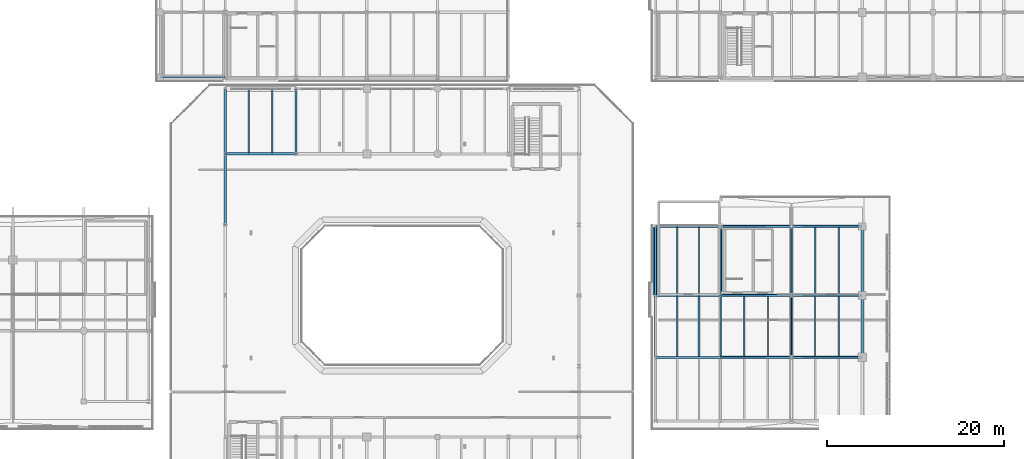
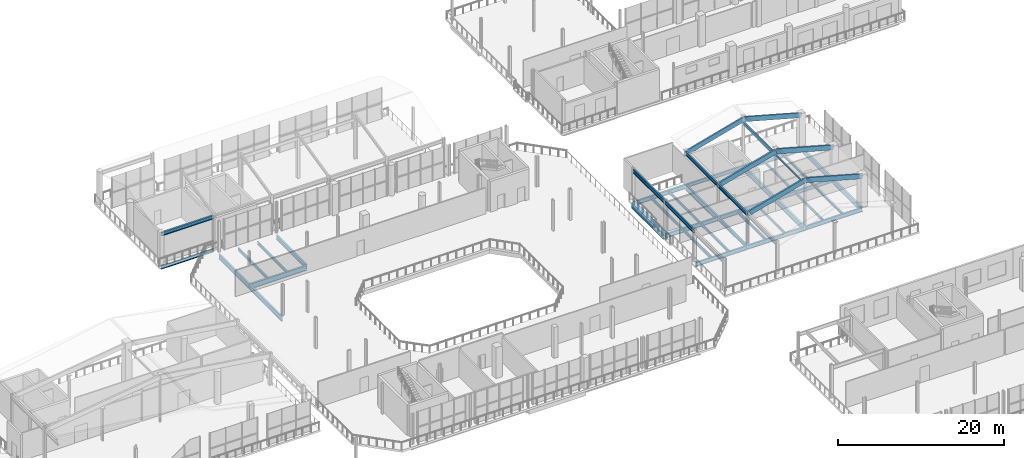
# One storey, part 31 of 70: 38 beams, 8 members.
"""IFC4 building model written with IfcOpenShell, lengths in metres."""

from ifc_helpers import new_model, si_unit, direction, frame, origin, origin_2d, place, context, subcontext, project, spatial, rectangle, hollow_rectangle, i_section, extrude, material, material_profile, profile_set, type_object, element, save


model = new_model("IFC4")

# Units and contexts
model_context = context("Model", 3, precision=1e-05, world=origin(), true_north=direction((0.0, 1.0)))
body_context = subcontext(model_context, "Body", "Model", "MODEL_VIEW")
ifc_project = project(units=[si_unit("LENGTHUNIT", "METRE"), si_unit("AREAUNIT", "SQUARE_METRE"), si_unit("VOLUMEUNIT", "CUBIC_METRE"), si_unit("PLANEANGLEUNIT", "RADIAN"), si_unit("MASSUNIT", "GRAM", prefix="KILO")], contexts=[model_context])

# Site, building, storey
site_placement = place(None, origin())
site = spatial("IfcSite", under=ifc_project, at=site_placement, CompositionType="ELEMENT")
building_placement = place(site_placement, origin())
building = spatial("IfcBuilding", under=site, at=building_placement, Name="Brisemont Oceanarium", CompositionType="ELEMENT")
storey_placement = place(building_placement, frame((0.0, 0.0, 10.199951171875)))
storey = spatial("IfcBuildingStorey", under=building, at=storey_placement, Name="L02", CompositionType="ELEMENT", Elevation=10.199951171875)

# Beams
ifc_material_1 = material(Name="Concrete C40/50", Category="concrete")
ifc_material_profile_1 = material_profile(ifc_material_1, rectangle(XDim=0.550048828125, YDim=0.800048828125, at=origin_2d()), Name="RC-BM-550X800")
ifc_profile_set_1 = profile_set([ifc_material_profile_1], Name="Concrete C40/50")
beam_type_1 = type_object("IfcBeamType", Name="BM-RC550X800", PredefinedType="SPANDREL", material=ifc_profile_set_1)
beam_1_placement = place(storey_placement, frame((112.64990234375, 56.0400390625, -0.659912109375), z_axis=(0.0, 1.0, 0.0), x_axis=(-1.0, 0.0, 0.0)))
element("IfcBeam", 1, at=beam_1_placement, inside=storey, type_object=beam_type_1, Name="V5E L02 NS girder", PredefinedType="SPANDREL", context=body_context, shape_type="SweptSolid", body=[
    extrude(rectangle(XDim=0.550048828125, YDim=0.800048828125, at=origin_2d()), origin(), (0.0, 0.0, 1.0), 7.719970703125),
])
ifc_material_2 = material(Name="Structural Steel ASTM A992 Gr.50", Category="steel")
ifc_material_profile_2 = material_profile(ifc_material_2, i_section(OverallWidth=0.1650390625, OverallDepth=0.31005859375, WebThickness=0.005859375, FlangeThickness=0.009765625, FilletRadius=0.008056640625, at=origin_2d()), Name="W12X26")
ifc_profile_set_2 = profile_set([ifc_material_profile_2], Name="Structural Steel ASTM A992 Gr.50")
beam_type_2 = type_object("IfcBeamType", Name="BM-W12X26", PredefinedType="JOIST", material=ifc_profile_set_2)
beam_2_placement = place(storey_placement, frame((133.333251953125, 56.090087890625, -0.4150390625), z_axis=(0.0, 1.0, 0.0), x_axis=(-1.0, 0.0, 0.0)))
element("IfcBeam", 2, at=beam_2_placement, inside=storey, type_object=beam_type_2, Name="V5E L02 secondary floor beam", PredefinedType="JOIST", context=body_context, shape_type="SweptSolid", body=[
    extrude(i_section(OverallWidth=0.1650390625, OverallDepth=0.31005859375, WebThickness=0.005859375, FlangeThickness=0.009765625, FilletRadius=0.008056640625, at=origin_2d()), origin(), (0.0, 0.0, 1.0), 7.619873046875),
])
ifc_material_3 = material(Name="Structural Steel ASTM A992 Gr.50", Category="steel")
ifc_material_profile_3 = material_profile(ifc_material_3, i_section(OverallWidth=0.1708984375, OverallDepth=0.35107421875, WebThickness=0.0068359375, FlangeThickness=0.009765625, FilletRadius=0.010009765625, at=origin_2d()), Name="W14X30")
ifc_profile_set_3 = profile_set([ifc_material_profile_3], Name="Structural Steel ASTM A992 Gr.50")
beam_type_3 = type_object("IfcBeamType", Name="BM-W14X30", PredefinedType="JOIST", material=ifc_profile_set_3)
beam_3_placement = place(storey_placement, frame((133.333251953125, 49.090087890625, -0.435546875), z_axis=(0.0, 1.0, 0.0), x_axis=(-1.0, 0.0, 0.0)))
element("IfcBeam", 3, at=beam_3_placement, inside=storey, type_object=beam_type_3, Name="V5E L02 secondary floor beam", PredefinedType="JOIST", context=body_context, shape_type="SweptSolid", body=[
    extrude(i_section(OverallWidth=0.1708984375, OverallDepth=0.35107421875, WebThickness=0.0068359375, FlangeThickness=0.009765625, FilletRadius=0.010009765625, at=origin_2d()), origin(), (0.0, 0.0, 1.0), 6.81982421875),
])
beam_4_placement = place(storey_placement, frame((130.666748046875, 56.090087890625, -0.435546875), z_axis=(0.0, 1.0, 0.0), x_axis=(-1.0, 0.0, 0.0)))
element("IfcBeam", 4, at=beam_4_placement, inside=storey, type_object=beam_type_3, Name="V5E L02 secondary floor beam", PredefinedType="JOIST", context=body_context, shape_type="SweptSolid", body=[
    extrude(i_section(OverallWidth=0.1708984375, OverallDepth=0.35107421875, WebThickness=0.0068359375, FlangeThickness=0.009765625, FilletRadius=0.010009765625, at=origin_2d()), origin(), (0.0, 0.0, 1.0), 7.619873046875),
])
ifc_material_4 = material(Name="Structural Steel ASTM A992 Gr.50", Category="steel")
ifc_material_profile_4 = material_profile(ifc_material_4, i_section(OverallWidth=0.139892578125, OverallDepth=0.39892578125, WebThickness=0.00634765625, FlangeThickness=0.0087890625, FilletRadius=0.010009765625, at=origin_2d()), Name="W16X26")
ifc_profile_set_4 = profile_set([ifc_material_profile_4], Name="Structural Steel ASTM A992 Gr.50")
beam_type_4 = type_object("IfcBeamType", Name="BM-W16X26", PredefinedType="JOIST", material=ifc_profile_set_4)
beam_5_placement = place(storey_placement, frame((117.550048828125, 56.090087890625, -0.45947265625), z_axis=(0.0, 1.0, 0.0), x_axis=(-1.0, 0.0, 0.0)))
element("IfcBeam", 5, at=beam_5_placement, inside=storey, type_object=beam_type_4, Name="V5E L02 secondary floor beam", PredefinedType="JOIST", context=body_context, shape_type="SweptSolid", body=[
    extrude(i_section(OverallWidth=0.139892578125, OverallDepth=0.39892578125, WebThickness=0.00634765625, FlangeThickness=0.0087890625, FilletRadius=0.010009765625, at=origin_2d()), origin(), (0.0, 0.0, 1.0), 7.619873046875),
])
for number, where, z_axis, x_axis, name in (
    (6, (125.333251953125, 49.090087890625, -0.45947265625), (0.0, 1.0, 0.0), (-1.0, 0.0, 0.0), "V5E L02 secondary floor beam"),
    (7, (130.666748046875, 49.090087890625, -0.45947265625), (0.0, 1.0, 0.0), (-1.0, 0.0, 0.0), "V5E L02 secondary floor beam"),
):
    element("IfcBeam", number, at=place(storey_placement, frame(where, z_axis=z_axis, x_axis=x_axis)), inside=storey, type_object=beam_type_4, Name=name, PredefinedType="JOIST", context=body_context, shape_type="SweptSolid", body=[
        extrude(i_section(OverallWidth=0.139892578125, OverallDepth=0.39892578125, WebThickness=0.00634765625, FlangeThickness=0.0087890625, FilletRadius=0.010009765625, at=origin_2d()), origin(), (0.0, 0.0, 1.0), 6.81982421875),
    ])
ifc_material_5 = material(Name="Structural Steel ASTM A992 Gr.50", Category="steel")
ifc_material_profile_5 = material_profile(ifc_material_5, i_section(OverallWidth=0.177978515625, OverallDepth=0.404052734375, WebThickness=0.007568359375, FlangeThickness=0.010986328125, FilletRadius=0.010009765625, at=origin_2d()), Name="W16X36")
ifc_profile_set_5 = profile_set([ifc_material_profile_5], Name="Structural Steel ASTM A992 Gr.50")
beam_type_5 = type_object("IfcBeamType", Name="BM-W16X36", PredefinedType="JOIST", material=ifc_profile_set_5)
beam_6_placement = place(storey_placement, frame((69.333251953125, 72.090087890625, -0.501953125), z_axis=(0.0, 1.0, 0.0), x_axis=(-1.0, 0.0, 0.0)))
element("IfcBeam", 8, at=beam_6_placement, inside=storey, type_object=beam_type_5, Name="V1 L02 secondary floor beam", PredefinedType="JOIST", context=body_context, shape_type="SweptSolid", body=[
    extrude(i_section(OverallWidth=0.177978515625, OverallDepth=0.404052734375, WebThickness=0.007568359375, FlangeThickness=0.010986328125, FilletRadius=0.010009765625, at=origin_2d()), origin(), (0.0, 0.0, 1.0), 7.219970703125),
])
beam_7_placement = place(storey_placement, frame((117.550048828125, 49.090087890625, -0.4619140625), z_axis=(0.0, 1.0, 0.0), x_axis=(-1.0, 0.0, 0.0)))
element("IfcBeam", 9, at=beam_7_placement, inside=storey, type_object=beam_type_5, Name="V5E L02 secondary floor beam", PredefinedType="JOIST", context=body_context, shape_type="SweptSolid", body=[
    extrude(i_section(OverallWidth=0.177978515625, OverallDepth=0.404052734375, WebThickness=0.007568359375, FlangeThickness=0.010986328125, FilletRadius=0.010009765625, at=origin_2d()), origin(), (0.0, 0.0, 1.0), 6.81982421875),
])
beam_8_placement = place(storey_placement, frame((115.10009765625, 56.090087890625, -0.4619140625), z_axis=(0.0, 1.0, 0.0), x_axis=(-1.0, 0.0, 0.0)))
element("IfcBeam", 10, at=beam_8_placement, inside=storey, type_object=beam_type_5, Name="V5E L02 secondary floor beam", PredefinedType="JOIST", context=body_context, shape_type="SweptSolid", body=[
    extrude(i_section(OverallWidth=0.177978515625, OverallDepth=0.404052734375, WebThickness=0.007568359375, FlangeThickness=0.010986328125, FilletRadius=0.010009765625, at=origin_2d()), origin(), (0.0, 0.0, 1.0), 7.619873046875),
])
beam_9_placement = place(storey_placement, frame((122.666748046875, 49.090087890625, -0.4619140625), z_axis=(0.0, 1.0, 0.0), x_axis=(-1.0, 0.0, 0.0)))
element("IfcBeam", 11, at=beam_9_placement, inside=storey, type_object=beam_type_5, Name="V5E L02 secondary floor beam", PredefinedType="JOIST", context=body_context, shape_type="SweptSolid", body=[
    extrude(i_section(OverallWidth=0.177978515625, OverallDepth=0.404052734375, WebThickness=0.007568359375, FlangeThickness=0.010986328125, FilletRadius=0.010009765625, at=origin_2d()), origin(), (0.0, 0.0, 1.0), 6.81982421875),
])
ifc_material_6 = material(Name="Structural Steel ASTM A992 Gr.50", Category="steel")
ifc_material_profile_6 = material_profile(ifc_material_6, i_section(OverallWidth=0.153076171875, OverallDepth=0.455078125, WebThickness=0.008056640625, FlangeThickness=0.01318359375, FilletRadius=0.010986328125, at=origin_2d()), Name="W18X40")
ifc_profile_set_6 = profile_set([ifc_material_profile_6], Name="Structural Steel ASTM A992 Gr.50")
beam_type_6 = type_object("IfcBeamType", Name="BM-W18X40", PredefinedType="JOIST", material=ifc_profile_set_6)
beam_10_placement = place(storey_placement, frame((66.666748046875, 72.090087890625, -0.52734375), z_axis=(0.0, 1.0, 0.0), x_axis=(-1.0, 0.0, 0.0)))
element("IfcBeam", 12, at=beam_10_placement, inside=storey, type_object=beam_type_6, Name="V1 L02 secondary floor beam", PredefinedType="JOIST", context=body_context, shape_type="SweptSolid", body=[
    extrude(i_section(OverallWidth=0.153076171875, OverallDepth=0.455078125, WebThickness=0.008056640625, FlangeThickness=0.01318359375, FilletRadius=0.010986328125, at=origin_2d()), origin(), (0.0, 0.0, 1.0), 7.219970703125),
])
beam_11_placement = place(storey_placement, frame((115.10009765625, 49.090087890625, -0.487548828125), z_axis=(0.0, 1.0, 0.0), x_axis=(-1.0, 0.0, 0.0)))
element("IfcBeam", 13, at=beam_11_placement, inside=storey, type_object=beam_type_6, Name="V5E L02 secondary floor beam", PredefinedType="JOIST", context=body_context, shape_type="SweptSolid", body=[
    extrude(i_section(OverallWidth=0.153076171875, OverallDepth=0.455078125, WebThickness=0.008056640625, FlangeThickness=0.01318359375, FilletRadius=0.010986328125, at=origin_2d()), origin(), (0.0, 0.0, 1.0), 6.81982421875),
])
ifc_material_7 = material(Name="Structural Steel ASTM A992 Gr.50", Category="steel")
ifc_material_profile_7 = material_profile(ifc_material_7, i_section(OverallWidth=0.166015625, OverallDepth=0.528076171875, WebThickness=0.009765625, FlangeThickness=0.013671875, FilletRadius=0.012939453125, at=origin_2d()), Name="W21X50")
ifc_profile_set_7 = profile_set([ifc_material_profile_7], Name="Structural Steel ASTM A992 Gr.50")
beam_type_7 = type_object("IfcBeamType", Name="BM-W21X50", PredefinedType="SPANDREL", material=ifc_profile_set_7)
beam_12_placement = place(storey_placement, frame((56.68994140625, 80.64990234375, -0.56396484375), z_axis=(1.0, 0.0, 0.0), x_axis=(0.0, 1.0, 0.0)))
element("IfcBeam", 14, at=beam_12_placement, inside=storey, type_object=beam_type_7, Name="V7E L02 EW girder", PredefinedType="SPANDREL", context=body_context, shape_type="SweptSolid", body=[
    extrude(i_section(OverallWidth=0.166015625, OverallDepth=0.528076171875, WebThickness=0.009765625, FlangeThickness=0.013671875, FilletRadius=0.012939453125, at=origin_2d()), origin(), (0.0, 0.0, 1.0), 7.27001953125),
])
ifc_material_8 = material(Name="Structural Steel ASTM A992 Gr.50", Category="steel")
ifc_material_profile_8 = material_profile(ifc_material_8, i_section(OverallWidth=0.2099609375, OverallDepth=0.532958984375, WebThickness=0.01025390625, FlangeThickness=0.015625, FilletRadius=0.012939453125, at=origin_2d()), Name="W21X62")
ifc_profile_set_8 = profile_set([ifc_material_profile_8], Name="Structural Steel ASTM A992 Gr.50")
beam_type_8 = type_object("IfcBeamType", Name="BM-W21X62", PredefinedType="BEAM", material=ifc_profile_set_8)
for number, where, z_axis, x_axis, name in (
    (15, (128.0400390625, 56.0, -0.5263671875), (1.0, 0.0, 0.0), (0.0, 1.0, 0.0), "V5E L02 EW girder"),
    (16, (120.0400390625, 63.800048828125, -0.5263671875), (1.0, 0.0, 0.0), (0.0, 1.0, 0.0), "V5E L02 EW girder"),
):
    element("IfcBeam", number, at=place(storey_placement, frame(where, z_axis=z_axis, x_axis=x_axis)), inside=storey, type_object=beam_type_8, Name=name, PredefinedType="BEAM", context=body_context, shape_type="SweptSolid", body=[
        extrude(i_section(OverallWidth=0.2099609375, OverallDepth=0.532958984375, WebThickness=0.01025390625, FlangeThickness=0.015625, FilletRadius=0.012939453125, at=origin_2d()), origin(), (0.0, 0.0, 1.0), 7.919921875),
    ])
for number, where, z_axis, x_axis, name in (
    (17, (120.0, 49.0400390625, -0.5263671875), (0.0, 1.0, 0.0), (-1.0, 0.0, 0.0), "V5E L02 NS girder"),
    (18, (112.64990234375, 49.0400390625, 4.33349609375), (0.0, 1.0, 0.0), (-1.0, 0.0, 0.0), "V5E NS roof eave girder"),
):
    element("IfcBeam", number, at=place(storey_placement, frame(where, z_axis=z_axis, x_axis=x_axis)), inside=storey, type_object=beam_type_8, Name=name, PredefinedType="BEAM", context=body_context, shape_type="SweptSolid", body=[
        extrude(i_section(OverallWidth=0.2099609375, OverallDepth=0.532958984375, WebThickness=0.01025390625, FlangeThickness=0.015625, FilletRadius=0.012939453125, at=origin_2d()), origin(), (0.0, 0.0, 1.0), 6.919921875),
    ])
beam_13_placement = place(storey_placement, frame((112.64990234375, 56.0400390625, 4.33349609375), z_axis=(0.0, 1.0, 0.0), x_axis=(-1.0, 0.0, 0.0)))
element("IfcBeam", 19, at=beam_13_placement, inside=storey, type_object=beam_type_8, Name="V5E NS roof eave girder", PredefinedType="BEAM", context=body_context, shape_type="SweptSolid", body=[
    extrude(i_section(OverallWidth=0.2099609375, OverallDepth=0.532958984375, WebThickness=0.01025390625, FlangeThickness=0.015625, FilletRadius=0.012939453125, at=origin_2d()), origin(), (0.0, 0.0, 1.0), 7.719970703125),
])
beam_14_placement = place(storey_placement, frame((120.0, 49.0400390625, 4.33349609375), z_axis=(0.0, 1.0, 0.0), x_axis=(-1.0, 0.0, 0.0)))
element("IfcBeam", 20, at=beam_14_placement, inside=storey, type_object=beam_type_8, Name="V5E NS roof eave girder", PredefinedType="BEAM", context=body_context, shape_type="SweptSolid", body=[
    extrude(i_section(OverallWidth=0.2099609375, OverallDepth=0.532958984375, WebThickness=0.01025390625, FlangeThickness=0.015625, FilletRadius=0.012939453125, at=origin_2d()), origin(), (0.0, 0.0, 1.0), 6.919921875),
])
beam_15_placement = place(storey_placement, frame((120.0, 56.0400390625, 4.33349609375), z_axis=(0.0, 1.0, 0.0), x_axis=(-1.0, 0.0, 0.0)))
element("IfcBeam", 21, at=beam_15_placement, inside=storey, type_object=beam_type_8, Name="V5E NS roof eave girder", PredefinedType="BEAM", context=body_context, shape_type="SweptSolid", body=[
    extrude(i_section(OverallWidth=0.2099609375, OverallDepth=0.532958984375, WebThickness=0.01025390625, FlangeThickness=0.015625, FilletRadius=0.012939453125, at=origin_2d()), origin(), (0.0, 0.0, 1.0), 7.719970703125),
])
beam_16_placement = place(storey_placement, frame((56.68994140625, 80.64990234375, 4.33349609375), z_axis=(1.0, 0.0, 0.0), x_axis=(0.0, 1.0, 0.0)))
element("IfcBeam", 22, at=beam_16_placement, inside=storey, type_object=beam_type_8, Name="V7E roof eave girder", PredefinedType="BEAM", context=body_context, shape_type="SweptSolid", body=[
    extrude(i_section(OverallWidth=0.2099609375, OverallDepth=0.532958984375, WebThickness=0.01025390625, FlangeThickness=0.015625, FilletRadius=0.012939453125, at=origin_2d()), origin(), (0.0, 0.0, 1.0), 7.27001953125),
])
ifc_material_9 = material(Name="Structural Steel ASTM A992 Gr.50", Category="steel")
ifc_material_profile_9 = material_profile(ifc_material_9, i_section(OverallWidth=0.22802734375, OverallDepth=0.60205078125, WebThickness=0.010498046875, FlangeThickness=0.014892578125, FilletRadius=0.012939453125, at=origin_2d()), Name="W24X68")
ifc_profile_set_9 = profile_set([ifc_material_profile_9], Name="Structural Steel ASTM A992 Gr.50")
beam_type_9 = type_object("IfcBeamType", Name="BM-W24X68", PredefinedType="BEAM", material=ifc_profile_set_9)
for number, where, z_axis, x_axis, name in (
    (23, (128.0400390625, 49.0, -0.56103515625), (1.0, 0.0, 0.0), (0.0, 1.0, 0.0), "V5E L02 EW girder"),
    (24, (120.0400390625, 56.0, -0.56103515625), (1.0, 0.0, 0.0), (0.0, 1.0, 0.0), "V5E L02 EW girder"),
):
    element("IfcBeam", number, at=place(storey_placement, frame(where, z_axis=z_axis, x_axis=x_axis)), inside=storey, type_object=beam_type_9, Name=name, PredefinedType="BEAM", context=body_context, shape_type="SweptSolid", body=[
        extrude(i_section(OverallWidth=0.22802734375, OverallDepth=0.60205078125, WebThickness=0.010498046875, FlangeThickness=0.014892578125, FilletRadius=0.012939453125, at=origin_2d()), origin(), (0.0, 0.0, 1.0), 7.919921875),
    ])
beam_17_placement = place(storey_placement, frame((112.68994140625, 63.800048828125, -0.56103515625), z_axis=(1.0, 0.0, 0.0), x_axis=(0.0, 1.0, 0.0)))
element("IfcBeam", 25, at=beam_17_placement, inside=storey, type_object=beam_type_9, Name="V5E L02 EW girder", PredefinedType="BEAM", context=body_context, shape_type="SweptSolid", body=[
    extrude(i_section(OverallWidth=0.22802734375, OverallDepth=0.60205078125, WebThickness=0.010498046875, FlangeThickness=0.014892578125, FilletRadius=0.012939453125, at=origin_2d()), origin(), (0.0, 0.0, 1.0), 7.27001953125),
])
ifc_material_10 = material(Name="Structural Steel ASTM A992 Gr.50", Category="steel")
ifc_material_profile_10 = material_profile(ifc_material_10, i_section(OverallWidth=0.22802734375, OverallDepth=0.60791015625, WebThickness=0.01123046875, FlangeThickness=0.017333984375, FilletRadius=0.012939453125, at=origin_2d()), Name="W24X76")
ifc_profile_set_10 = profile_set([ifc_material_profile_10], Name="Structural Steel ASTM A992 Gr.50")
beam_type_10 = type_object("IfcBeamType", Name="BM-W24X76", PredefinedType="BEAM", material=ifc_profile_set_10)
beam_18_placement = place(storey_placement, frame((120.0400390625, 49.0, -0.56396484375), z_axis=(1.0, 0.0, 0.0), x_axis=(0.0, 1.0, 0.0)))
element("IfcBeam", 26, at=beam_18_placement, inside=storey, type_object=beam_type_10, Name="V5E L02 EW girder", PredefinedType="BEAM", context=body_context, shape_type="SweptSolid", body=[
    extrude(i_section(OverallWidth=0.22802734375, OverallDepth=0.60791015625, WebThickness=0.01123046875, FlangeThickness=0.017333984375, FilletRadius=0.012939453125, at=origin_2d()), origin(), (0.0, 0.0, 1.0), 7.919921875),
])
beam_19_placement = place(storey_placement, frame((112.68994140625, 56.0, -0.56396484375), z_axis=(1.0, 0.0, 0.0), x_axis=(0.0, 1.0, 0.0)))
element("IfcBeam", 27, at=beam_19_placement, inside=storey, type_object=beam_type_10, Name="V5E L02 EW girder", PredefinedType="BEAM", context=body_context, shape_type="SweptSolid", body=[
    extrude(i_section(OverallWidth=0.22802734375, OverallDepth=0.60791015625, WebThickness=0.01123046875, FlangeThickness=0.017333984375, FilletRadius=0.012939453125, at=origin_2d()), origin(), (0.0, 0.0, 1.0), 7.27001953125),
])
ifc_material_11 = material(Name="Structural Steel ASTM A992 Gr.50", Category="steel")
ifc_material_profile_11 = material_profile(ifc_material_11, i_section(OverallWidth=0.22900390625, OverallDepth=0.612060546875, WebThickness=0.011962890625, FlangeThickness=0.01953125, FilletRadius=0.012939453125, at=origin_2d()), Name="W24X84")
ifc_profile_set_11 = profile_set([ifc_material_profile_11], Name="Structural Steel ASTM A992 Gr.50")
beam_type_11 = type_object("IfcBeamType", Name="BM-W24X84", PredefinedType="BEAM", material=ifc_profile_set_11)
for number, where, z_axis, x_axis, name in (
    (28, (72.0, 72.0400390625, -0.60595703125), (0.0, 1.0, 0.0), (-1.0, 0.0, 0.0), "V1 L02 NS girder"),
    (29, (112.68994140625, 49.0, -0.56591796875), (1.0, 0.0, 0.0), (0.0, 1.0, 0.0), "V5E L02 EW girder"),
):
    element("IfcBeam", number, at=place(storey_placement, frame(where, z_axis=z_axis, x_axis=x_axis)), inside=storey, type_object=beam_type_11, Name=name, PredefinedType="BEAM", context=body_context, shape_type="SweptSolid", body=[
        extrude(i_section(OverallWidth=0.22900390625, OverallDepth=0.612060546875, WebThickness=0.011962890625, FlangeThickness=0.01953125, FilletRadius=0.012939453125, at=origin_2d()), origin(), (0.0, 0.0, 1.0), 7.27001953125),
    ])
ifc_material_12 = material(Name="Structural Steel ASTM A992 Gr.50", Category="steel")
ifc_material_profile_12 = material_profile(ifc_material_12, i_section(OverallWidth=0.2529296875, OverallDepth=0.677978515625, WebThickness=0.01171875, FlangeThickness=0.016357421875, FilletRadius=0.014892578125, at=origin_2d()), Name="W27X84")
ifc_profile_set_12 = profile_set([ifc_material_profile_12], Name="Structural Steel ASTM A992 Gr.50")
beam_type_12 = type_object("IfcBeamType", Name="BM-W27X84", PredefinedType="BEAM", material=ifc_profile_set_12)
beam_20_placement = place(storey_placement, frame((64.0, 72.0400390625, -0.638916015625), z_axis=(0.0, 1.0, 0.0), x_axis=(-1.0, 0.0, 0.0)))
element("IfcBeam", 30, at=beam_20_placement, inside=storey, type_object=beam_type_12, Name="V1 L02 NS girder", PredefinedType="BEAM", context=body_context, shape_type="SweptSolid", body=[
    extrude(i_section(OverallWidth=0.2529296875, OverallDepth=0.677978515625, WebThickness=0.01171875, FlangeThickness=0.016357421875, FilletRadius=0.014892578125, at=origin_2d()), origin(), (0.0, 0.0, 1.0), 7.27001953125),
])
ifc_material_13 = material(Name="Structural Steel ASTM A992 Gr.50", Category="steel")
ifc_material_profile_13 = material_profile(ifc_material_13, i_section(OverallWidth=0.25390625, OverallDepth=0.68310546875, WebThickness=0.012451171875, FlangeThickness=0.018798828125, FilletRadius=0.014892578125, at=origin_2d()), Name="W27X94")
ifc_profile_set_13 = profile_set([ifc_material_profile_13], Name="Structural Steel ASTM A992 Gr.50")
beam_type_13 = type_object("IfcBeamType", Name="BM-W27X94", PredefinedType="BEAM", material=ifc_profile_set_13)
beam_21_placement = place(storey_placement, frame((64.0, 64.0400390625, -0.641357421875), z_axis=(0.0, 1.0, 0.0), x_axis=(-1.0, 0.0, 0.0)))
element("IfcBeam", 31, at=beam_21_placement, inside=storey, type_object=beam_type_13, Name="V1 L02 NS girder", PredefinedType="BEAM", context=body_context, shape_type="SweptSolid", body=[
    extrude(i_section(OverallWidth=0.25390625, OverallDepth=0.68310546875, WebThickness=0.012451171875, FlangeThickness=0.018798828125, FilletRadius=0.014892578125, at=origin_2d()), origin(), (0.0, 0.0, 1.0), 7.919921875),
])
beam_22_placement = place(storey_placement, frame((136.0, 56.0400390625, -0.6015625), z_axis=(0.0, 1.0, 0.0), x_axis=(-1.0, 0.0, 0.0)))
element("IfcBeam", 32, at=beam_22_placement, inside=storey, type_object=beam_type_13, Name="V5E L02 NS girder", PredefinedType="BEAM", context=body_context, shape_type="SweptSolid", body=[
    extrude(i_section(OverallWidth=0.25390625, OverallDepth=0.68310546875, WebThickness=0.012451171875, FlangeThickness=0.018798828125, FilletRadius=0.014892578125, at=origin_2d()), origin(), (0.0, 0.0, 1.0), 7.719970703125),
])
ifc_material_14 = material(Name="Structural Steel ASTM A992 Gr.50", Category="steel")
ifc_material_profile_14 = material_profile(ifc_material_14, i_section(OverallWidth=0.26708984375, OverallDepth=0.761962890625, WebThickness=0.014404296875, FlangeThickness=0.021484375, FilletRadius=0.01611328125, at=origin_2d()), Name="W30X116")
ifc_profile_set_14 = profile_set([ifc_material_profile_14], Name="Structural Steel ASTM A992 Gr.50")
beam_type_14 = type_object("IfcBeamType", Name="BM-W30X116", PredefinedType="BEAM", material=ifc_profile_set_14)
beam_23_placement = place(storey_placement, frame((128.0400390625, 63.800048828125, -0.640869140625), z_axis=(1.0, 0.0, 0.0), x_axis=(0.0, 1.0, 0.0)))
element("IfcBeam", 33, at=beam_23_placement, inside=storey, type_object=beam_type_14, Name="V5E L02 EW girder", PredefinedType="BEAM", context=body_context, shape_type="SweptSolid", body=[
    extrude(i_section(OverallWidth=0.26708984375, OverallDepth=0.761962890625, WebThickness=0.014404296875, FlangeThickness=0.021484375, FilletRadius=0.01611328125, at=origin_2d()), origin(), (0.0, 0.0, 1.0), 7.919921875),
])
beam_24_placement = place(storey_placement, frame((120.0, 56.0400390625, -0.640869140625), z_axis=(0.0, 1.0, 0.0), x_axis=(-1.0, 0.0, 0.0)))
element("IfcBeam", 34, at=beam_24_placement, inside=storey, type_object=beam_type_14, Name="V5E L02 NS girder", PredefinedType="BEAM", context=body_context, shape_type="SweptSolid", body=[
    extrude(i_section(OverallWidth=0.26708984375, OverallDepth=0.761962890625, WebThickness=0.014404296875, FlangeThickness=0.021484375, FilletRadius=0.01611328125, at=origin_2d()), origin(), (0.0, 0.0, 1.0), 7.719970703125),
])
beam_25_placement = place(storey_placement, frame((128.0, 49.0400390625, -0.640869140625), z_axis=(0.0, 1.0, 0.0), x_axis=(-1.0, 0.0, 0.0)))
element("IfcBeam", 35, at=beam_25_placement, inside=storey, type_object=beam_type_14, Name="V5E L02 NS girder", PredefinedType="BEAM", context=body_context, shape_type="SweptSolid", body=[
    extrude(i_section(OverallWidth=0.26708984375, OverallDepth=0.761962890625, WebThickness=0.014404296875, FlangeThickness=0.021484375, FilletRadius=0.01611328125, at=origin_2d()), origin(), (0.0, 0.0, 1.0), 6.919921875),
])
ifc_material_15 = material(Name="Structural Steel ASTM A992 Gr.50", Category="steel")
ifc_material_profile_15 = material_profile(ifc_material_15, i_section(OverallWidth=0.264892578125, OverallDepth=0.7529296875, WebThickness=0.01318359375, FlangeThickness=0.01708984375, FilletRadius=0.01611328125, at=origin_2d()), Name="W30X99")
ifc_profile_set_15 = profile_set([ifc_material_profile_15], Name="Structural Steel ASTM A992 Gr.50")
beam_type_15 = type_object("IfcBeamType", Name="BM-W30X99", PredefinedType="BEAM", material=ifc_profile_set_15)
beam_26_placement = place(storey_placement, frame((64.0400390625, 72.0, -0.676513671875), z_axis=(1.0, 0.0, 0.0), x_axis=(0.0, 1.0, 0.0)))
element("IfcBeam", 36, at=beam_26_placement, inside=storey, type_object=beam_type_15, Name="V1 L02 EW girder", PredefinedType="BEAM", context=body_context, shape_type="SweptSolid", body=[
    extrude(i_section(OverallWidth=0.264892578125, OverallDepth=0.7529296875, WebThickness=0.01318359375, FlangeThickness=0.01708984375, FilletRadius=0.01611328125, at=origin_2d()), origin(), (0.0, 0.0, 1.0), 7.919921875),
])
beam_27_placement = place(storey_placement, frame((128.0, 56.0400390625, -0.636474609375), z_axis=(0.0, 1.0, 0.0), x_axis=(-1.0, 0.0, 0.0)))
element("IfcBeam", 37, at=beam_27_placement, inside=storey, type_object=beam_type_15, Name="V5E L02 NS girder", PredefinedType="BEAM", context=body_context, shape_type="SweptSolid", body=[
    extrude(i_section(OverallWidth=0.264892578125, OverallDepth=0.7529296875, WebThickness=0.01318359375, FlangeThickness=0.01708984375, FilletRadius=0.01611328125, at=origin_2d()), origin(), (0.0, 0.0, 1.0), 7.719970703125),
])
beam_28_placement = place(storey_placement, frame((136.0, 49.0400390625, -0.636474609375), z_axis=(0.0, 1.0, 0.0), x_axis=(-1.0, 0.0, 0.0)))
element("IfcBeam", 38, at=beam_28_placement, inside=storey, type_object=beam_type_15, Name="V5E L02 NS girder", PredefinedType="BEAM", context=body_context, shape_type="SweptSolid", body=[
    extrude(i_section(OverallWidth=0.264892578125, OverallDepth=0.7529296875, WebThickness=0.01318359375, FlangeThickness=0.01708984375, FilletRadius=0.01611328125, at=origin_2d()), origin(), (0.0, 0.0, 1.0), 6.919921875),
])

# Members
ifc_material_16 = material(Name="Glulam Timber 24F-V4 DF", Category="wood")
ifc_material_profile_16 = material_profile(ifc_material_16, rectangle(XDim=0.1708984375, YDim=0.45703125, at=origin_2d()), Name="GL-171X457")
ifc_profile_set_16 = profile_set([ifc_material_profile_16], Name="Glulam Timber 24F-V4 DF")
member_type_1 = type_object("IfcMemberType", Name="MEM-PU-GL171", PredefinedType="PURLIN", material=ifc_profile_set_16)
member_1_placement = place(storey_placement, frame((128.0, 56.0400390625, 5.969970703125), z_axis=(0.0, 1.0, 0.0), x_axis=(-1.0, 0.0, 0.0)))
element("IfcMember", 39, at=member_1_placement, inside=storey, type_object=member_type_1, Name="V5E ridge purlin 2", PredefinedType="PURLIN", context=body_context, shape_type="SweptSolid", body=[
    extrude(rectangle(XDim=0.1708984375, YDim=0.45703125, at=origin_2d()), origin(), (0.0, 0.0, 1.0), 7.719970703125),
])
ifc_material_17 = material(Name="Structural Steel ASTM A500 Gr.C", Category="steel")
ifc_material_profile_17 = material_profile(ifc_material_17, hollow_rectangle(XDim=0.152099609375, YDim=0.152099609375, WallThickness=0.0087890625, InnerFilletRadius=0.009033203125, OuterFilletRadius=0.01806640625, at=origin_2d()), Name="HSS6X6X3/8")
ifc_profile_set_17 = profile_set([ifc_material_profile_17], Name="Structural Steel ASTM A500 Gr.C")
member_type_2 = type_object("IfcMemberType", Name="MEM-PU-HSS6X6", PredefinedType="PURLIN", material=ifc_profile_set_17)
member_2_placement = place(storey_placement, frame((128.0, 49.0400390625, 5.969970703125), z_axis=(0.0, 1.0, 0.0), x_axis=(-1.0, 0.0, 0.0)))
element("IfcMember", 40, at=member_2_placement, inside=storey, type_object=member_type_2, Name="V5E ridge purlin 1", PredefinedType="PURLIN", context=body_context, shape_type="SweptSolid", body=[
    extrude(hollow_rectangle(XDim=0.152099609375, YDim=0.152099609375, WallThickness=0.0087890625, InnerFilletRadius=0.009033203125, OuterFilletRadius=0.01806640625, at=origin_2d()), origin(), (0.0, 0.0, 1.0), 6.919921875),
])
ifc_material_18 = material(Name="Glulam Timber 24F-V4 DF", Category="wood")
ifc_material_profile_18 = material_profile(ifc_material_18, rectangle(XDim=0.221923828125, YDim=0.68603515625, at=origin_2d()), Name="GL-222X686")
ifc_profile_set_18 = profile_set([ifc_material_profile_18], Name="Glulam Timber 24F-V4 DF")
member_type_3 = type_object("IfcMemberType", Name="MEM-RF-GL222", PredefinedType="RAFTER", material=ifc_profile_set_18)
for number, where, z_axis, x_axis, name in (
    (41, (120.0, 49.0, 4.320068359375), (0.964206897392, 0.0, 0.265151011731), (0.0, 1.0, 0.0), "V5E pitched roof rafter 1A"),
    (42, (136.0, 49.0, 4.320068359375), (-0.964206897392, 0.0, 0.265151011731), (0.0, -1.0, 0.0), "V5E pitched roof rafter 1B"),
    (43, (120.0, 56.0, 4.320068359375), (0.964206897392, 0.0, 0.265151011731), (0.0, 1.0, 0.0), "V5E pitched roof rafter 2A"),
    (44, (136.0, 56.0, 4.320068359375), (-0.964206897392, 0.0, 0.265151011731), (0.0, -1.0, 0.0), "V5E pitched roof rafter 2B"),
    (45, (120.0, 63.800048828125, 4.320068359375), (0.964206897392, 0.0, 0.265151011731), (0.0, 1.0, 0.0), "V5E pitched roof rafter 3A"),
    (46, (136.0, 63.800048828125, 4.320068359375), (-0.964206897392, 0.0, 0.265151011731), (0.0, -1.0, 0.0), "V5E pitched roof rafter 3B"),
):
    element("IfcMember", number, at=place(storey_placement, frame(where, z_axis=z_axis, x_axis=x_axis)), inside=storey, type_object=member_type_3, Name=name, PredefinedType="RAFTER", context=body_context, shape_type="SweptSolid", body=[
        extrude(rectangle(XDim=0.221923828125, YDim=0.68603515625, at=origin_2d()), origin(), (0.0, 0.0, 1.0), 8.296875),
    ])

save(model, "model.ifc")
